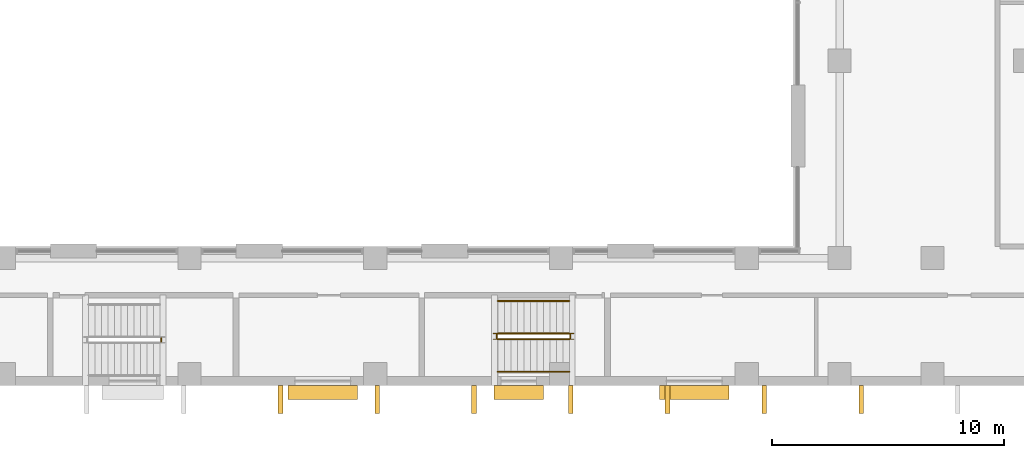
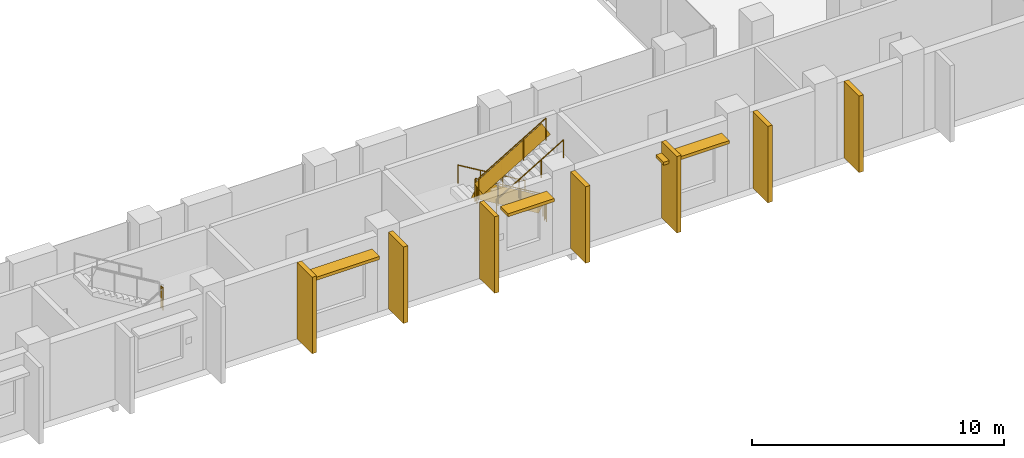
# One storey, part 20 of 25: 10 shading devices, 7 railings.
"""IFC4 building model written with IfcOpenShell, lengths in metres."""

from ifc_helpers import new_model, si_unit, direction, frame, frame_2d, origin, origin_2d, place, context, subcontext, project, spatial, rectangle, circle, extrude, material, layer, layer_set, type_object, element, save


model = new_model("IFC4")

# Units and contexts
model_context = context("Model", 3, precision=1e-05, world=origin(), true_north=direction((0.0, 1.0)))
body_context = subcontext(model_context, "Body", "Model", "MODEL_VIEW")
ifc_project = project(units=[si_unit("LENGTHUNIT", "METRE"), si_unit("AREAUNIT", "SQUARE_METRE"), si_unit("VOLUMEUNIT", "CUBIC_METRE"), si_unit("PLANEANGLEUNIT", "RADIAN"), si_unit("MASSUNIT", "GRAM", prefix="KILO")], contexts=[model_context])

# Site, building, storey
site_placement = place(None, origin())
site = spatial("IfcSite", under=ifc_project, at=site_placement, CompositionType="ELEMENT")
building_placement = place(site_placement, origin())
building = spatial("IfcBuilding", under=site, at=building_placement, Name="Vidyagriha Tower", CompositionType="ELEMENT")
storey_placement = place(building_placement, frame((0.0, 0.0, 18.0)))
storey = spatial("IfcBuildingStorey", under=building, at=storey_placement, Name="L04", CompositionType="ELEMENT", Elevation=18.0)

# Shading devices
ifc_material_1 = material(Name="Precast concrete C40/50 with brick facing", Category="concrete")
ifc_layer_1 = layer(ifc_material_1, 0.14990234375)
ifc_layer_set_1 = layer_set([ifc_layer_1], Name="Precast concrete C40/50 with brick facing")
shading_device_type_1 = type_object("IfcShadingDeviceType", Name="Brick chhajja window hood", PredefinedType="AWNING", material=ifc_layer_set_1)
shading_device_1_placement = place(storey_placement, frame((-0.264892578125, -50.300048828125, 3.0)))
element("IfcShadingDevice", 1, at=shading_device_1_placement, inside=storey, type_object=shading_device_type_1, Name="Window hood L04 R06.21", PredefinedType="AWNING", context=body_context, shape_type="SweptSolid", body=[
    extrude(rectangle(XDim=3.0, YDim=0.60009765625, at=origin_2d()), origin(), (0.0, 0.0, 1.0), 0.14990234375),
])
shading_device_2_placement = place(storey_placement, frame((8.175048828125, -50.300048828125, 3.0)))
element("IfcShadingDevice", 2, at=shading_device_2_placement, inside=storey, type_object=shading_device_type_1, Name="Window hood L04 R06.25", PredefinedType="AWNING", context=body_context, shape_type="SweptSolid", body=[
    extrude(rectangle(XDim=2.1201171875, YDim=0.60009765625, at=origin_2d()), origin(), (0.0, 0.0, 1.0), 0.14990234375),
])
shading_device_3_placement = place(storey_placement, frame((15.735107421875, -50.300048828125, 3.0)))
element("IfcShadingDevice", 3, at=shading_device_3_placement, inside=storey, type_object=shading_device_type_1, Name="Window hood L04 R06.29", PredefinedType="AWNING", context=body_context, shape_type="SweptSolid", body=[
    extrude(rectangle(XDim=3.0, YDim=0.60009765625, at=origin_2d()), origin(), (0.0, 0.0, 1.0), 0.14990234375),
])
ifc_material_2 = material(Name="Precast concrete C40/50 with brick facing", Category="concrete")
ifc_layer_2 = layer(ifc_material_2, 0.199951171875)
ifc_layer_set_2 = layer_set([ifc_layer_2], Name="Precast concrete C40/50 with brick facing")
shading_device_type_2 = type_object("IfcShadingDeviceType", Name="Brick-faced solar fin 1200", PredefinedType="USERDEFINED", material=ifc_layer_set_2)
for number, where, z_axis, x_axis, name in (
    (4, (-2.084228515625, -50.0, 0.0), (0.0, 0.0, 1.0), (0.0, -1.0, 0.0), "Solar fin L04 R06.9"),
    (5, (2.084228515625, -50.0, 0.0), (0.0, 0.0, 1.0), (0.0, -1.0, 0.0), "Solar fin L04 R06.10"),
    (6, (6.252685546875, -50.0, 0.0), (0.0, 0.0, 1.0), (0.0, -1.0, 0.0), "Solar fin L04 R06.11"),
    (7, (10.421142578125, -50.0, 0.0), (0.0, 0.0, 1.0), (0.0, -1.0, 0.0), "Solar fin L04 R06.12"),
    (8, (14.589599609375, -50.0, 0.0), (0.0, 0.0, 1.0), (0.0, -1.0, 0.0), "Solar fin L04 R06.13"),
    (9, (18.7578125, -50.0, 0.0), (0.0, 0.0, 1.0), (0.0, -1.0, 0.0), "Solar fin L04 R06.14"),
    (10, (22.92626953125, -50.0, 0.0), (0.0, 0.0, 1.0), (0.0, -1.0, 0.0), "Solar fin L04 R06.15"),
):
    element("IfcShadingDevice", number, at=place(storey_placement, frame(where, z_axis=z_axis, x_axis=x_axis)), inside=storey, type_object=shading_device_type_2, Name=name, ObjectType="SOLAR FIN", PredefinedType="USERDEFINED", context=body_context, shape_type="SweptSolid", body=[
        extrude(rectangle(XDim=1.199951171875, YDim=0.199951171875, at=frame_2d((0.60009765625, 0.0))), origin(), (0.0, 0.0, 1.0), 3.699951171875),
    ])

# Railings
ifc_material_3 = material(Name="Powder coated ASTM A500 Grade C steel balustrade", Category="steel")
railing_type_1 = type_object("IfcRailingType", Name="Podium Stair Guard 1100", PredefinedType="GUARDRAIL", material=ifc_material_3)
railing_1_placement = place(storey_placement, frame((-7.22509765625, -48.10009765625, 2.0)))
element("IfcRailing", 11, at=railing_1_placement, inside=storey, type_object=railing_type_1, Name="L04 PS3 stair guard 2", PredefinedType="GUARDRAIL", context=body_context, shape_type="SweptSolid", body=[
    extrude(circle(Radius=0.02392578125, at=origin_2d()), frame((0.0, 0.0, 1.076171875), z_axis=(0.0, 1.0, 0.0), x_axis=(-1.0, 0.0, 0.0)), (0.0, 0.0, 1.0), 0.150146484375),
    extrude(circle(Radius=0.02099609375, at=origin_2d()), origin(), (0.0, 0.0, 1.0), 1.052001953125),
    extrude(circle(Radius=0.02099609375, at=origin_2d()), frame((0.0, 0.150146484375, 0.0)), (0.0, 0.0, 1.0), 1.052001953125),
    extrude(rectangle(XDim=0.010009765625, YDim=0.902099609375, at=origin_2d()), frame((0.0, 0.0, 0.551025390625), z_axis=(0.0, 1.0, 0.0), x_axis=(-1.0, 0.0, 0.0)), (0.0, 0.0, 1.0), 0.150146484375),
])
railing_2_placement = place(storey_placement, frame((10.35498046875, -47.75, 0.166748046875)))
element("IfcRailing", 12, at=railing_2_placement, inside=storey, type_object=railing_type_1, Name="L04 PS4 stair guard 1", PredefinedType="GUARDRAIL", context=body_context, shape_type="SweptSolid", body=[
    extrude(circle(Radius=0.02392578125, at=origin_2d()), frame((0.0, 0.0, 1.076171875), z_axis=(-0.859308565015, 0.0, 0.511457515432), x_axis=(0.0, -1.0, 0.0)), (0.0, 0.0, 1.0), 3.58447265625),
    extrude(circle(Radius=0.02099609375, at=origin_2d()), origin(), (0.0, 0.0, 1.0), 1.052001953125),
    extrude(circle(Radius=0.02099609375, at=origin_2d()), frame((-1.026611328125, 0.0, 0.611083984375)), (0.0, 0.0, 1.0), 1.052001953125),
    extrude(circle(Radius=0.02099609375, at=origin_2d()), frame((-2.053466796875, 0.0, 1.22216796875)), (0.0, 0.0, 1.0), 1.052001953125),
    extrude(circle(Radius=0.02099609375, at=origin_2d()), frame((-3.080078125, 0.0, 1.833251953125)), (0.0, 0.0, 1.0), 1.052001953125),
    extrude(rectangle(XDim=0.010009765625, YDim=0.775146484375, at=origin_2d()), frame((0.0, 0.0, 0.551025390625), z_axis=(-0.859308565015, 0.0, 0.511457515432), x_axis=(0.0, -1.0, 0.0)), (0.0, 0.0, 1.0), 3.58447265625),
])
railing_3_placement = place(storey_placement, frame((7.22509765625, -47.800048828125, 2.0)))
element("IfcRailing", 13, at=railing_3_placement, inside=storey, type_object=railing_type_1, Name="L04 PS4 stair guard 2", PredefinedType="GUARDRAIL", context=body_context, shape_type="SweptSolid", body=[
    extrude(circle(Radius=0.02392578125, at=origin_2d()), frame((0.0, 0.0, 1.076171875), z_axis=(0.0, -1.0, 0.0), x_axis=(1.0, 0.0, 0.0)), (0.0, 0.0, 1.0), 0.14990234375),
    extrude(circle(Radius=0.02099609375, at=origin_2d()), origin(), (0.0, 0.0, 1.0), 1.052001953125),
    extrude(circle(Radius=0.02099609375, at=origin_2d()), frame((0.0, -0.14990234375, 0.0)), (0.0, 0.0, 1.0), 1.052001953125),
    extrude(rectangle(XDim=0.010009765625, YDim=0.902099609375, at=origin_2d()), frame((0.0, 0.0, 0.551025390625), z_axis=(0.0, -1.0, 0.0), x_axis=(1.0, 0.0, 0.0)), (0.0, 0.0, 1.0), 0.14990234375),
])
railing_4_placement = place(storey_placement, frame((7.27490234375, -48.0, 2.166748046875)))
element("IfcRailing", 14, at=railing_4_placement, inside=storey, type_object=railing_type_1, Name="L04 PS4 stair guard 3", PredefinedType="GUARDRAIL", context=body_context, shape_type="SweptSolid", body=[
    extrude(circle(Radius=0.02392578125, at=origin_2d()), frame((0.0, 0.0, 1.076171875), z_axis=(0.859308565015, 0.0, 0.511457515432), x_axis=(0.0, 1.0, 0.0)), (0.0, 0.0, 1.0), 3.58447265625),
    extrude(circle(Radius=0.02099609375, at=origin_2d()), origin(), (0.0, 0.0, 1.0), 1.052001953125),
    extrude(circle(Radius=0.02099609375, at=origin_2d()), frame((1.026611328125, 0.0, 0.611083984375)), (0.0, 0.0, 1.0), 1.052001953125),
    extrude(circle(Radius=0.02099609375, at=origin_2d()), frame((2.053466796875, 0.0, 1.22216796875)), (0.0, 0.0, 1.0), 1.052001953125),
    extrude(circle(Radius=0.02099609375, at=origin_2d()), frame((3.080078125, 0.0, 1.833251953125)), (0.0, 0.0, 1.0), 1.052001953125),
    extrude(rectangle(XDim=0.010009765625, YDim=0.775146484375, at=origin_2d()), frame((0.0, 0.0, 0.551025390625), z_axis=(0.859308565015, 0.0, 0.511457515432), x_axis=(0.0, 1.0, 0.0)), (0.0, 0.0, 1.0), 3.58447265625),
])
railing_5_placement = place(storey_placement, frame((10.405029296875, -47.800048828125, 0.0)))
element("IfcRailing", 15, at=railing_5_placement, inside=storey, type_object=railing_type_1, Name="L04 PS4 stair guard 4", PredefinedType="GUARDRAIL", context=body_context, shape_type="SweptSolid", body=[
    extrude(circle(Radius=0.02392578125, at=origin_2d()), frame((0.0, 0.0, 1.076171875), z_axis=(0.0, -1.0, 0.0), x_axis=(1.0, 0.0, 0.0)), (0.0, 0.0, 1.0), 0.14990234375),
    extrude(circle(Radius=0.02099609375, at=origin_2d()), origin(), (0.0, 0.0, 1.0), 1.052001953125),
    extrude(circle(Radius=0.02099609375, at=origin_2d()), frame((0.0, -0.14990234375, 0.0)), (0.0, 0.0, 1.0), 1.052001953125),
    extrude(rectangle(XDim=0.010009765625, YDim=0.902099609375, at=origin_2d()), frame((0.0, 0.0, 0.551025390625), z_axis=(0.0, -1.0, 0.0), x_axis=(1.0, 0.0, 0.0)), (0.0, 0.0, 1.0), 0.14990234375),
])
ifc_material_4 = material(Name="Powder coated ASTM A500 Grade C steel handrail", Category="steel")
railing_type_2 = type_object("IfcRailingType", Name="Podium Stair Handrail 900", PredefinedType="HANDRAIL", material=ifc_material_4)
railing_6_placement = place(storey_placement, frame((10.35498046875, -46.35009765625, 0.166748046875)))
element("IfcRailing", 16, at=railing_6_placement, inside=storey, type_object=railing_type_2, Name="L04 PS4 stair handrail 1", PredefinedType="HANDRAIL", context=body_context, shape_type="SweptSolid", body=[
    extrude(circle(Radius=0.02392578125, at=origin_2d()), frame((0.0, 0.0, 0.8759765625), z_axis=(-0.859308565015, 0.0, 0.511457515432), x_axis=(0.0, -1.0, 0.0)), (0.0, 0.0, 1.0), 3.58447265625),
    extrude(circle(Radius=0.02099609375, at=origin_2d()), origin(), (0.0, 0.0, 1.0), 0.851806640625),
    extrude(circle(Radius=0.02099609375, at=origin_2d()), frame((-1.026611328125, 0.0, 0.611083984375)), (0.0, 0.0, 1.0), 0.851806640625),
    extrude(circle(Radius=0.02099609375, at=origin_2d()), frame((-2.053466796875, 0.0, 1.22216796875)), (0.0, 0.0, 1.0), 0.851806640625),
    extrude(circle(Radius=0.02099609375, at=origin_2d()), frame((-3.080078125, 0.0, 1.833251953125)), (0.0, 0.0, 1.0), 0.851806640625),
])
railing_7_placement = place(storey_placement, frame((7.27490234375, -49.39990234375, 2.166748046875)))
element("IfcRailing", 17, at=railing_7_placement, inside=storey, type_object=railing_type_2, Name="L04 PS4 stair handrail 2", PredefinedType="HANDRAIL", context=body_context, shape_type="SweptSolid", body=[
    extrude(circle(Radius=0.02392578125, at=origin_2d()), frame((0.0, 0.0, 0.8759765625), z_axis=(0.859308565015, 0.0, 0.511457515432), x_axis=(0.0, 1.0, 0.0)), (0.0, 0.0, 1.0), 3.58447265625),
    extrude(circle(Radius=0.02099609375, at=origin_2d()), origin(), (0.0, 0.0, 1.0), 0.851806640625),
    extrude(circle(Radius=0.02099609375, at=origin_2d()), frame((1.026611328125, 0.0, 0.611083984375)), (0.0, 0.0, 1.0), 0.851806640625),
    extrude(circle(Radius=0.02099609375, at=origin_2d()), frame((2.053466796875, 0.0, 1.22216796875)), (0.0, 0.0, 1.0), 0.851806640625),
    extrude(circle(Radius=0.02099609375, at=origin_2d()), frame((3.080078125, 0.0, 1.833251953125)), (0.0, 0.0, 1.0), 0.851806640625),
])

save(model, "model.ifc")
